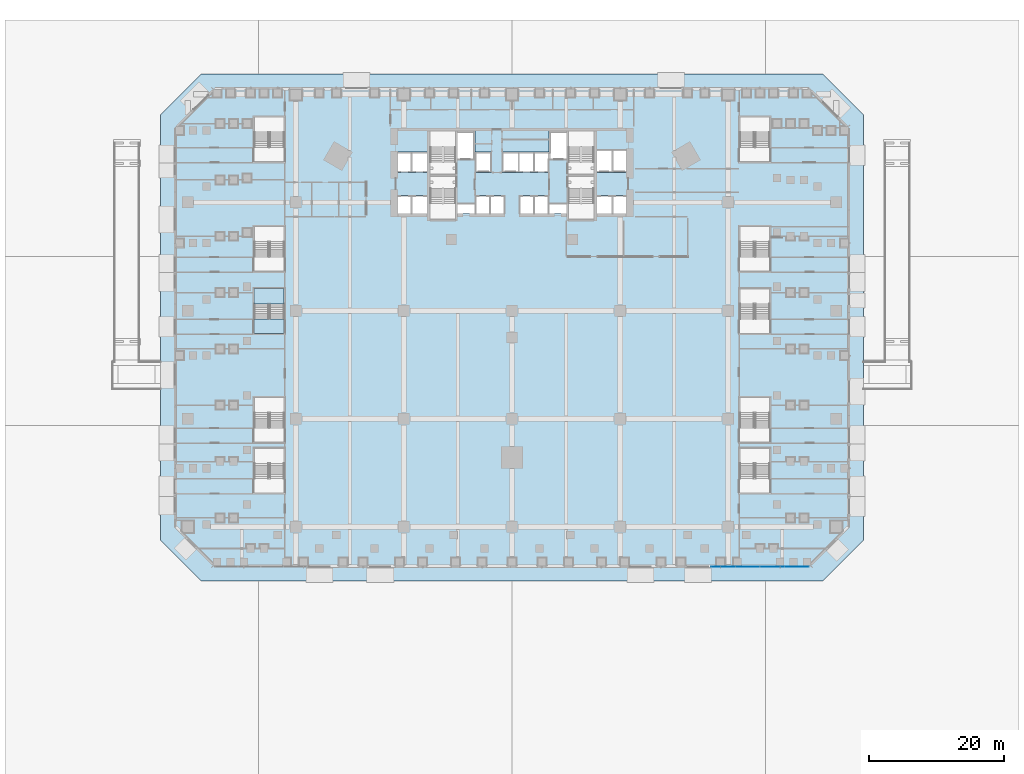
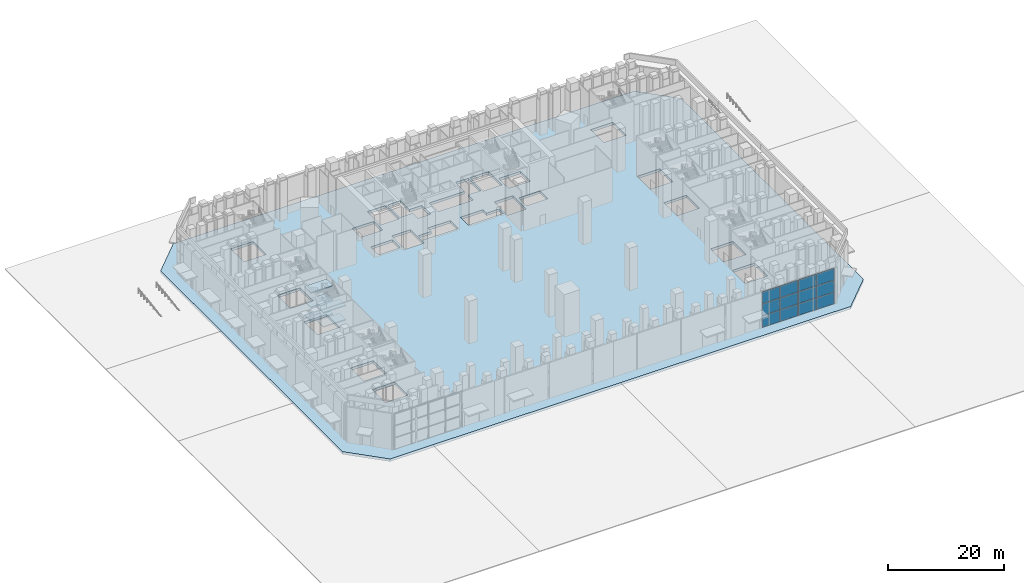
# One storey, part 14 of 51: 12 plates, 6 slabs, 3 elements without a shape of their own.
"""IFC4 building model written with IfcOpenShell, lengths in metres."""

from ifc_helpers import new_model, si_unit, direction, frame, origin, origin_2d, place, context, subcontext, project, spatial, polyline, rectangle, outline, extrude, material, layer, layer_set, type_object, element, aggregate, save


model = new_model("IFC4")

# Units and contexts
model_context = context("Model", 3, precision=1e-05, world=origin(), true_north=direction((0.0, 1.0)))
body_context = subcontext(model_context, "Body", "Model", "MODEL_VIEW")
ifc_project = project(units=[si_unit("LENGTHUNIT", "METRE"), si_unit("AREAUNIT", "SQUARE_METRE"), si_unit("VOLUMEUNIT", "CUBIC_METRE"), si_unit("PLANEANGLEUNIT", "RADIAN"), si_unit("MASSUNIT", "GRAM", prefix="KILO")], contexts=[model_context])

# Site, building, storey
site_placement = place(None, origin())
site = spatial("IfcSite", under=ifc_project, at=site_placement, CompositionType="ELEMENT")
building_placement = place(site_placement, origin())
building = spatial("IfcBuilding", under=site, at=building_placement, Name="Calabash Gate Tower", CompositionType="ELEMENT")
storey_placement = place(building_placement, origin())
storey = spatial("IfcBuildingStorey", under=building, at=storey_placement, Name="L00", CompositionType="ELEMENT", Elevation=0.0)

# Curtain wall, plates
ifc_material_1 = material(Name="Anodised aluminium frame, bronze finish, clear laminated impact-rated glazing", Category="aluminium")
curtain_wall_type = type_object("IfcCurtainWallType", Name="Curtain wall CWF podium shopfront", PredefinedType="NOTDEFINED", material=ifc_material_1)
curtain_wall_1_placement = place(storey_placement, origin())
curtain_wall_1 = element("IfcCurtainWall", 1, at=curtain_wall_1_placement, inside=storey, type_object=curtain_wall_type, Name="Curtain wall CWF L00 0.1.0", PredefinedType="NOTDEFINED")
ifc_material_2 = material(Name="Clear laminated impact-rated glazing", Category="glass")
ifc_layer_1 = layer(ifc_material_2, 0.035888671875)
ifc_layer_set_1 = layer_set([ifc_layer_1], Name="Glass panel CWF 36")
plate_type = type_object("IfcPlateType", Name="Glass panel CWF 36", PredefinedType="CURTAIN_PANEL", material=ifc_layer_set_1)
plate_1_placement = place(storey_placement, frame((31.238525390625, -45.89990234375, 0.06494140625), z_axis=(0.0, 0.0, 1.0), x_axis=(1.0, 0.0, 0.0)))
plate_1 = element("IfcPlate", 2, at=plate_1_placement, type_object=plate_type, Name="CWF panel 1.1", PredefinedType="CURTAIN_PANEL", context=body_context, shape_type="SweptSolid", body=[
    extrude(rectangle(XDim=3.5390625, YDim=0.035888671875, at=origin_2d()), origin(), (0.0, 0.0, 1.0), 2.435791015625),
])
plate_2_placement = place(storey_placement, frame((31.238525390625, -45.89990234375, 2.56591796875), z_axis=(0.0, 0.0, 1.0), x_axis=(1.0, 0.0, 0.0)))
plate_2 = element("IfcPlate", 3, at=plate_2_placement, type_object=plate_type, Name="CWF panel 1.2", PredefinedType="CURTAIN_PANEL", context=body_context, shape_type="SweptSolid", body=[
    extrude(rectangle(XDim=3.5390625, YDim=0.035888671875, at=origin_2d()), origin(), (0.0, 0.0, 1.0), 2.46826171875),
])
plate_3_placement = place(storey_placement, frame((31.238525390625, -45.89990234375, 5.09912109375), z_axis=(0.0, 0.0, 1.0), x_axis=(1.0, 0.0, 0.0)))
plate_3 = element("IfcPlate", 4, at=plate_3_placement, type_object=plate_type, Name="CWF panel 1.3", PredefinedType="CURTAIN_PANEL", context=body_context, shape_type="SweptSolid", body=[
    extrude(rectangle(XDim=3.5390625, YDim=0.035888671875, at=origin_2d()), origin(), (0.0, 0.0, 1.0), 2.435791015625),
])
plate_4_placement = place(storey_placement, frame((34.842529296875, -45.89990234375, 0.06494140625), z_axis=(0.0, 0.0, 1.0), x_axis=(1.0, 0.0, 0.0)))
plate_4 = element("IfcPlate", 5, at=plate_4_placement, type_object=plate_type, Name="CWF panel 2.1", PredefinedType="CURTAIN_PANEL", context=body_context, shape_type="SweptSolid", body=[
    extrude(rectangle(XDim=3.5390625, YDim=0.035888671875, at=origin_2d()), origin(), (0.0, 0.0, 1.0), 2.435791015625),
])
plate_5_placement = place(storey_placement, frame((34.842529296875, -45.89990234375, 2.56591796875), z_axis=(0.0, 0.0, 1.0), x_axis=(1.0, 0.0, 0.0)))
plate_5 = element("IfcPlate", 6, at=plate_5_placement, type_object=plate_type, Name="CWF panel 2.2", PredefinedType="CURTAIN_PANEL", context=body_context, shape_type="SweptSolid", body=[
    extrude(rectangle(XDim=3.5390625, YDim=0.035888671875, at=origin_2d()), origin(), (0.0, 0.0, 1.0), 2.46826171875),
])
plate_6_placement = place(storey_placement, frame((34.842529296875, -45.89990234375, 5.09912109375), z_axis=(0.0, 0.0, 1.0), x_axis=(1.0, 0.0, 0.0)))
plate_6 = element("IfcPlate", 7, at=plate_6_placement, type_object=plate_type, Name="CWF panel 2.3", PredefinedType="CURTAIN_PANEL", context=body_context, shape_type="SweptSolid", body=[
    extrude(rectangle(XDim=3.5390625, YDim=0.035888671875, at=origin_2d()), origin(), (0.0, 0.0, 1.0), 2.435791015625),
])
aggregate(curtain_wall_1, [plate_1, plate_2, plate_3, plate_4, plate_5, plate_6])

curtain_wall_2_placement = place(storey_placement, origin())
curtain_wall_2 = element("IfcCurtainWall", 8, at=curtain_wall_2_placement, inside=storey, type_object=curtain_wall_type, Name="Curtain wall CWF L00 0.1.1", PredefinedType="NOTDEFINED")
plate_7_placement = place(storey_placement, frame((38.511474609375, -45.89990234375, 0.06494140625), z_axis=(0.0, 0.0, 1.0), x_axis=(1.0, 0.0, 0.0)))
plate_7 = element("IfcPlate", 9, at=plate_7_placement, type_object=plate_type, Name="CWF panel 1.1", PredefinedType="CURTAIN_PANEL", context=body_context, shape_type="SweptSolid", body=[
    extrude(rectangle(XDim=3.5390625, YDim=0.035888671875, at=origin_2d()), origin(), (0.0, 0.0, 1.0), 2.435791015625),
])
plate_8_placement = place(storey_placement, frame((38.511474609375, -45.89990234375, 2.56591796875), z_axis=(0.0, 0.0, 1.0), x_axis=(1.0, 0.0, 0.0)))
plate_8 = element("IfcPlate", 10, at=plate_8_placement, type_object=plate_type, Name="CWF panel 1.2", PredefinedType="CURTAIN_PANEL", context=body_context, shape_type="SweptSolid", body=[
    extrude(rectangle(XDim=3.5390625, YDim=0.035888671875, at=origin_2d()), origin(), (0.0, 0.0, 1.0), 2.46826171875),
])
plate_9_placement = place(storey_placement, frame((38.511474609375, -45.89990234375, 5.09912109375), z_axis=(0.0, 0.0, 1.0), x_axis=(1.0, 0.0, 0.0)))
plate_9 = element("IfcPlate", 11, at=plate_9_placement, type_object=plate_type, Name="CWF panel 1.3", PredefinedType="CURTAIN_PANEL", context=body_context, shape_type="SweptSolid", body=[
    extrude(rectangle(XDim=3.5390625, YDim=0.035888671875, at=origin_2d()), origin(), (0.0, 0.0, 1.0), 2.435791015625),
])
plate_10_placement = place(storey_placement, frame((42.115478515625, -45.89990234375, 0.06494140625), z_axis=(0.0, 0.0, 1.0), x_axis=(1.0, 0.0, 0.0)))
plate_10 = element("IfcPlate", 12, at=plate_10_placement, type_object=plate_type, Name="CWF panel 2.1", PredefinedType="CURTAIN_PANEL", context=body_context, shape_type="SweptSolid", body=[
    extrude(rectangle(XDim=3.5390625, YDim=0.035888671875, at=origin_2d()), origin(), (0.0, 0.0, 1.0), 2.435791015625),
])
plate_11_placement = place(storey_placement, frame((42.115478515625, -45.89990234375, 2.56591796875), z_axis=(0.0, 0.0, 1.0), x_axis=(1.0, 0.0, 0.0)))
plate_11 = element("IfcPlate", 13, at=plate_11_placement, type_object=plate_type, Name="CWF panel 2.2", PredefinedType="CURTAIN_PANEL", context=body_context, shape_type="SweptSolid", body=[
    extrude(rectangle(XDim=3.5390625, YDim=0.035888671875, at=origin_2d()), origin(), (0.0, 0.0, 1.0), 2.46826171875),
])
plate_12_placement = place(storey_placement, frame((42.115478515625, -45.89990234375, 5.09912109375), z_axis=(0.0, 0.0, 1.0), x_axis=(1.0, 0.0, 0.0)))
plate_12 = element("IfcPlate", 14, at=plate_12_placement, type_object=plate_type, Name="CWF panel 2.3", PredefinedType="CURTAIN_PANEL", context=body_context, shape_type="SweptSolid", body=[
    extrude(rectangle(XDim=3.5390625, YDim=0.035888671875, at=origin_2d()), origin(), (0.0, 0.0, 1.0), 2.435791015625),
])
aggregate(curtain_wall_2, [plate_7, plate_8, plate_9, plate_10, plate_11, plate_12])

# Slab
ifc_material_3 = material(Name="Concrete C40/50", Category="concrete")
ifc_layer_2 = layer(ifc_material_3, 0.550048828125)
ifc_layer_set_2 = layer_set([ifc_layer_2], Name="Reinforced concrete floor slab 550 Concrete C40/50")
slab_type_1 = type_object("IfcSlabType", Name="Reinforced concrete floor slab 550 Concrete C40/50", PredefinedType="FLOOR", material=ifc_layer_set_2)
slab_1_placement = place(storey_placement, frame((0.0, 0.0, -0.550048828125)))
element("IfcSlab", 15, at=slab_1_placement, inside=storey, type_object=slab_type_1, Name="Floor slab L00", PredefinedType="FLOOR", context=body_context, shape_type="SweptSolid", body=[
    extrude(outline(polyline([(-46.0, 27.0), (46.0, 27.0), (52.0, 21.0), (52.0, -42.0), (46.0, -48.0), (-46.0, -48.0), (-52.0, -42.0), (-52.0, 21.0), (-46.0, 27.0)]), holes=[polyline([(-1.0, 6.3525390625), (-1.0, 9.052490234375), (-3.25, 9.052490234375), (-5.5, 9.052490234375), (-5.5, 7.8525390625), (-8.050048828125, 7.8525390625), (-8.050048828125, 6.3525390625), (-7.324951171875, 6.3525390625), (-7.324951171875, 6.402587890625), (-6.22509765625, 6.402587890625), (-6.22509765625, 6.3525390625), (-5.5, 6.3525390625), (-3.25, 6.3525390625), (-1.0, 6.3525390625)]), polyline([(8.050048828125, 6.3525390625), (8.050048828125, 7.8525390625), (5.5, 7.8525390625), (5.5, 9.052490234375), (3.25, 9.052490234375), (1.0, 9.052490234375), (1.0, 6.3525390625), (3.25, 6.3525390625), (5.5, 6.3525390625), (6.22509765625, 6.3525390625), (6.22509765625, 6.402587890625), (7.324951171875, 6.402587890625), (7.324951171875, 6.3525390625), (8.050048828125, 6.3525390625)]), polyline([(-3.0, 12.45263671875), (-3.0, 15.45263671875), (-5.5, 15.45263671875), (-5.5, 18.552490234375), (-8.050048828125, 18.552490234375), (-8.050048828125, 14.252685546875), (-5.5, 14.252685546875), (-5.5, 12.45263671875), (-3.0, 12.45263671875)]), polyline([(5.5, 14.252685546875), (8.050048828125, 14.252685546875), (8.050048828125, 18.552490234375), (5.5, 18.552490234375), (5.5, 15.45263671875), (3.25, 15.45263671875), (1.0, 15.45263671875), (-1.5, 15.45263671875), (-1.5, 12.45263671875), (1.0, 12.45263671875), (3.25, 12.45263671875), (5.5, 12.45263671875), (5.5, 14.252685546875)]), polyline([(-16.89990234375, 6.3525390625), (-14.85009765625, 6.3525390625), (-12.60009765625, 6.3525390625), (-12.60009765625, 9.052490234375), (-14.85009765625, 9.052490234375), (-16.89990234375, 9.052490234375), (-16.89990234375, 6.3525390625)]), polyline([(-16.89990234375, 15.45263671875), (-16.89990234375, 12.45263671875), (-14.85009765625, 12.45263671875), (-12.60009765625, 12.45263671875), (-12.60009765625, 15.45263671875), (-14.85009765625, 15.45263671875), (-16.89990234375, 15.45263671875)]), polyline([(12.60009765625, 9.052490234375), (12.60009765625, 6.3525390625), (14.85009765625, 6.3525390625), (16.89990234375, 6.3525390625), (16.89990234375, 9.052490234375), (14.85009765625, 9.052490234375), (12.60009765625, 9.052490234375)]), polyline([(12.60009765625, 15.8525390625), (12.60009765625, 12.45263671875), (14.85009765625, 12.45263671875), (16.89990234375, 12.45263671875), (16.89990234375, 15.8525390625), (14.85009765625, 15.8525390625), (12.60009765625, 15.8525390625)]), polyline([(-12.10009765625, 13.95263671875), (-8.35009765625, 13.95263671875), (-8.35009765625, 18.552490234375), (-12.10009765625, 18.552490234375), (-12.10009765625, 13.95263671875)]), polyline([(-8.35009765625, 5.502685546875), (-8.35009765625, 10.1025390625), (-12.10009765625, 10.1025390625), (-12.10009765625, 5.502685546875), (-8.35009765625, 5.502685546875)]), polyline([(12.10009765625, 18.552490234375), (8.35009765625, 18.552490234375), (8.35009765625, 13.95263671875), (12.10009765625, 13.95263671875), (12.10009765625, 18.552490234375)]), polyline([(8.35009765625, 10.1025390625), (8.35009765625, 5.502685546875), (12.10009765625, 5.502685546875), (12.10009765625, 10.1025390625), (8.35009765625, 10.1025390625)]), polyline([(-33.699951171875, -28.35009765625), (-38.169921875, -28.35009765625), (-38.169921875, -32.840087890625), (-33.699951171875, -32.840087890625), (-33.699951171875, -28.35009765625)]), polyline([(-33.699951171875, -25.340087890625), (-33.699951171875, -20.85009765625), (-38.169921875, -20.85009765625), (-38.169921875, -25.340087890625), (-33.699951171875, -25.340087890625)]), polyline([(-38.169921875, -9.239990234375), (-33.699951171875, -9.239990234375), (-33.699951171875, -4.75), (-38.169921875, -4.75), (-38.169921875, -9.239990234375)]), polyline([(-38.169921875, 4.449951171875), (-38.169921875, -0.0400390625), (-33.699951171875, -0.0400390625), (-33.699951171875, 4.449951171875), (-38.169921875, 4.449951171875)]), polyline([(-33.699951171875, 20.64990234375), (-38.169921875, 20.64990234375), (-38.169921875, 16.159912109375), (-33.699951171875, 16.159912109375), (-33.699951171875, 20.64990234375)]), polyline([(38.169921875, -32.840087890625), (38.169921875, -28.35009765625), (33.699951171875, -28.35009765625), (33.699951171875, -32.840087890625), (38.169921875, -32.840087890625)]), polyline([(33.699951171875, -25.340087890625), (38.169921875, -25.340087890625), (38.169921875, -20.85009765625), (33.699951171875, -20.85009765625), (33.699951171875, -25.340087890625)]), polyline([(33.699951171875, -4.75), (33.699951171875, -9.239990234375), (38.169921875, -9.239990234375), (38.169921875, -4.75), (33.699951171875, -4.75)]), polyline([(38.169921875, 4.449951171875), (33.699951171875, 4.449951171875), (33.699951171875, -0.0400390625), (38.169921875, -0.0400390625), (38.169921875, 4.449951171875)]), polyline([(38.169921875, 16.159912109375), (38.169921875, 20.64990234375), (33.699951171875, 20.64990234375), (33.699951171875, 16.159912109375), (38.169921875, 16.159912109375)])]), origin(), (0.0, 0.0, 1.0), 0.550048828125),
])

# Stair, slabs
ifc_material_4 = material(Name="Concrete C40/50", Category="concrete")
stair_type = type_object("IfcStairType", Name="Public stair 54 risers of 166.7 mm", PredefinedType="HALF_TURN_STAIR", material=ifc_material_4)
stair_placement = place(storey_placement, origin())
stair = element("IfcStair", 16, at=stair_placement, inside=storey, type_object=stair_type, Name="L00 Public Stair PS3", PredefinedType="HALF_TURN_STAIR")
ifc_material_5 = material(Name="Concrete C40/50", Category="concrete")
ifc_layer_3 = layer(ifc_material_5, 0.199951171875)
ifc_layer_set_3 = layer_set([ifc_layer_3], Name="Stair landing SL200")
slab_type_2 = type_object("IfcSlabType", Name="Stair landing SL200", PredefinedType="LANDING", material=ifc_layer_set_3)
slab_2_placement = place(storey_placement, frame((0.0, 0.0, 1.300048828125)))
slab_2 = element("IfcSlab", 17, at=slab_2_placement, type_object=slab_type_2, Name="PS3 landing 1", PredefinedType="LANDING", context=body_context, shape_type="SweptSolid", body=[
    extrude(outline(polyline([(-33.699951171875, -7.008056640625), (-33.699951171875, -4.75), (-38.169921875, -4.75), (-38.169921875, -7.008056640625), (-33.699951171875, -7.008056640625)])), origin(), (0.0, 0.0, 1.0), 0.199951171875),
])
slab_3_placement = place(storey_placement, frame((0.0, 0.0, 2.800048828125)))
slab_3 = element("IfcSlab", 18, at=slab_3_placement, type_object=slab_type_2, Name="PS3 landing 2", PredefinedType="LANDING", context=body_context, shape_type="SweptSolid", body=[
    extrude(outline(polyline([(-33.699951171875, -11.39990234375), (-33.699951171875, -9.239990234375), (-38.169921875, -9.239990234375), (-38.169921875, -11.39990234375), (-33.699951171875, -11.39990234375)])), origin(), (0.0, 0.0, 1.0), 0.199951171875),
])
slab_4_placement = place(storey_placement, frame((0.0, 0.0, 4.300048828125)))
slab_4 = element("IfcSlab", 19, at=slab_4_placement, type_object=slab_type_2, Name="PS3 landing 3", PredefinedType="LANDING", context=body_context, shape_type="SweptSolid", body=[
    extrude(outline(polyline([(-33.699951171875, -7.008056640625), (-33.699951171875, -4.75), (-38.169921875, -4.75), (-38.169921875, -7.008056640625), (-33.699951171875, -7.008056640625)])), origin(), (0.0, 0.0, 1.0), 0.199951171875),
])
slab_5_placement = place(storey_placement, frame((0.0, 0.0, 5.800048828125)))
slab_5 = element("IfcSlab", 20, at=slab_5_placement, type_object=slab_type_2, Name="PS3 landing 4", PredefinedType="LANDING", context=body_context, shape_type="SweptSolid", body=[
    extrude(outline(polyline([(-33.699951171875, -11.39990234375), (-33.699951171875, -9.239990234375), (-38.169921875, -9.239990234375), (-38.169921875, -11.39990234375), (-33.699951171875, -11.39990234375)])), origin(), (0.0, 0.0, 1.0), 0.199951171875),
])
slab_6_placement = place(storey_placement, frame((0.0, 0.0, 7.300048828125)))
slab_6 = element("IfcSlab", 21, at=slab_6_placement, type_object=slab_type_2, Name="PS3 landing 5", PredefinedType="LANDING", context=body_context, shape_type="SweptSolid", body=[
    extrude(outline(polyline([(-33.699951171875, -7.008056640625), (-33.699951171875, -4.75), (-38.169921875, -4.75), (-38.169921875, -7.008056640625), (-33.699951171875, -7.008056640625)])), origin(), (0.0, 0.0, 1.0), 0.199951171875),
])
aggregate(stair, [slab_2, slab_3, slab_4, slab_5, slab_6])

save(model, "model.ifc")
